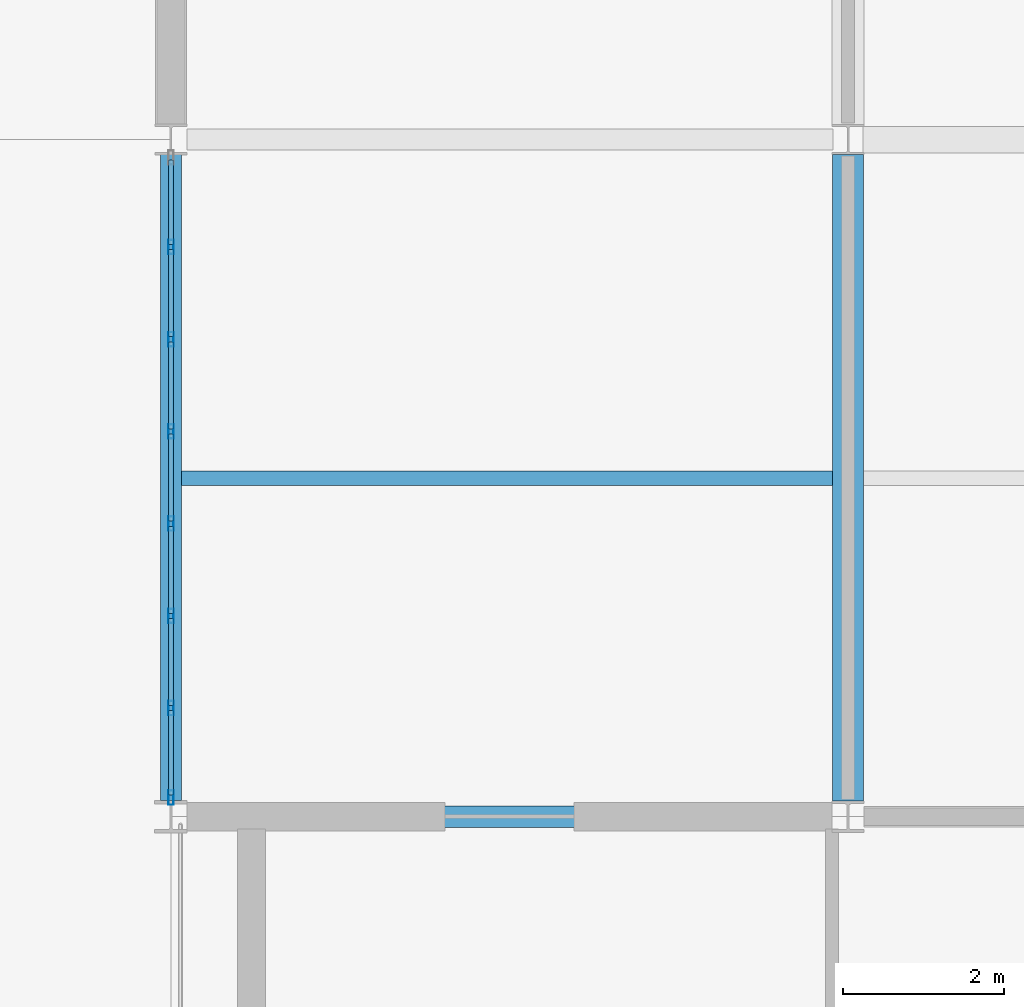
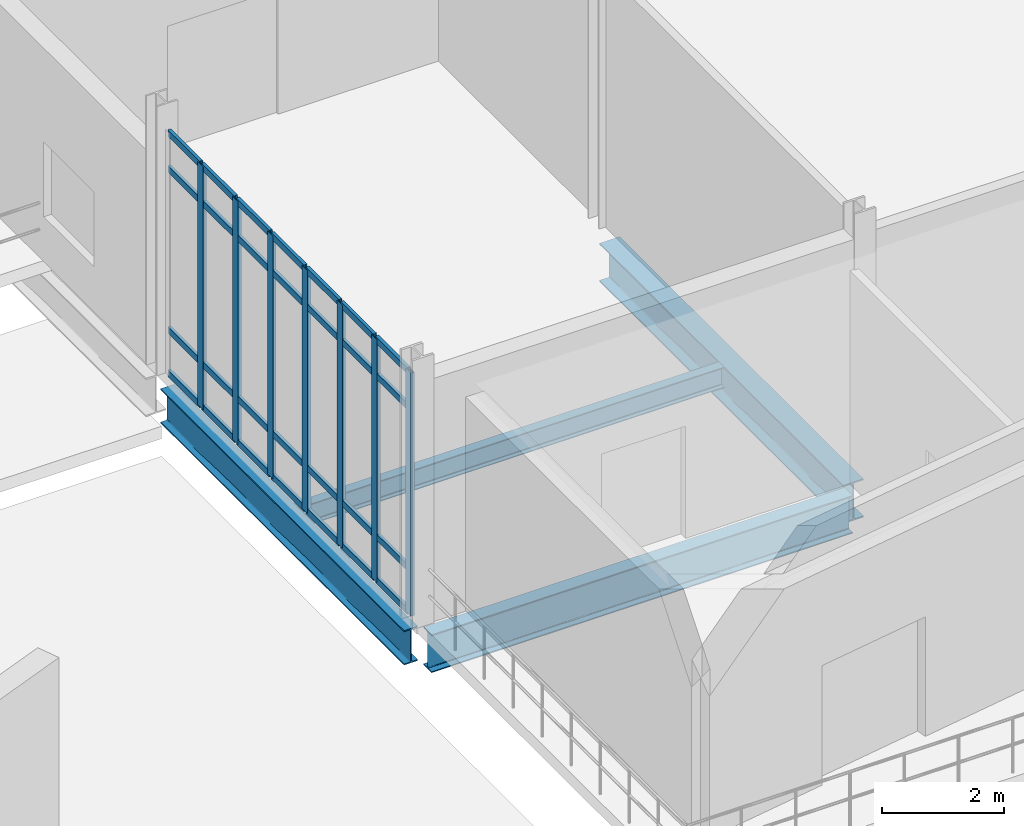
# One storey, part 23 of 229: 35 members, 4 beams, 1 element without a shape of its own.
"""IFC4 building model written with IfcOpenShell, lengths in metres."""

from ifc_helpers import new_model, si_unit, direction, frame, origin, origin_2d, place, context, subcontext, project, spatial, hollow_rectangle, i_section, extrude, material, layer, layer_set, material_profile, profile_set, type_object, element, aggregate, save


model = new_model("IFC4")

# Units and contexts
model_context = context("Model", 3, precision=1e-05, world=origin(), true_north=direction((0.0, 1.0)))
body_context = subcontext(model_context, "Body", "Model", "MODEL_VIEW")
ifc_project = project(units=[si_unit("LENGTHUNIT", "METRE"), si_unit("AREAUNIT", "SQUARE_METRE"), si_unit("VOLUMEUNIT", "CUBIC_METRE"), si_unit("PLANEANGLEUNIT", "RADIAN"), si_unit("MASSUNIT", "GRAM", prefix="KILO")], contexts=[model_context])

# Site, building, storey
site_placement = place(None, origin())
site = spatial("IfcSite", under=ifc_project, at=site_placement, CompositionType="ELEMENT")
building_placement = place(site_placement, origin())
building = spatial("IfcBuilding", under=site, at=building_placement, Name="Calvrana Isthmian Art Gallery", CompositionType="ELEMENT")
storey_placement = place(building_placement, origin())
storey = spatial("IfcBuildingStorey", under=building, at=storey_placement, Name="L00", CompositionType="ELEMENT", Elevation=0.0)

# Beams
ifc_material_1 = material(Name="Steel ASTM A992 Gr 50", Category="steel")
ifc_material_profile_1 = material_profile(ifc_material_1, i_section(OverallWidth=0.257080078125, OverallDepth=0.693115234375, WebThickness=0.014404296875, FlangeThickness=0.023681640625, FilletRadius=0.02392578125, at=origin_2d()), Name="W27X114")
ifc_profile_set_1 = profile_set([ifc_material_profile_1], Name="Steel ASTM A992 Gr 50")
beam_type_1 = type_object("IfcBeamType", Name="BM-G-W27X114", PredefinedType="BEAM", material=ifc_profile_set_1)
beam_1_placement = place(storey_placement, frame((21.60009765625, 21.799560546875, -0.631591796875), z_axis=(0.0, 1.0, 0.0), x_axis=(-1.0, 0.0, 0.0)))
element("IfcBeam", 1, at=beam_1_placement, inside=storey, type_object=beam_type_1, Name="Girder Y L00 04/D-E", PredefinedType="BEAM", context=body_context, shape_type="SweptSolid", body=[
    extrude(i_section(OverallWidth=0.257080078125, OverallDepth=0.693115234375, WebThickness=0.014404296875, FlangeThickness=0.023681640625, FilletRadius=0.02392578125, at=origin_2d()), origin(), (0.0, 0.0, 1.0), 8.012451171875),
])
ifc_material_profile_2 = material_profile(ifc_material_1, i_section(OverallWidth=0.26708984375, OverallDepth=0.761962890625, WebThickness=0.014404296875, FlangeThickness=0.021484375, FilletRadius=0.02490234375, at=origin_2d()), Name="W30X116")
ifc_profile_set_2 = profile_set([ifc_material_profile_2], Name="Steel ASTM A992 Gr 50")
beam_type_2 = type_object("IfcBeamType", Name="BM-G-W30X116", PredefinedType="BEAM", material=ifc_profile_set_2)
beam_2_placement = place(storey_placement, frame((21.800537109375, 21.60009765625, -0.666015625), z_axis=(1.0, 0.0, 0.0), x_axis=(0.0, 1.0, 0.0)))
element("IfcBeam", 2, at=beam_2_placement, inside=storey, type_object=beam_type_2, Name="Girder X L00 04-05/D", PredefinedType="BEAM", context=body_context, shape_type="SweptSolid", body=[
    extrude(i_section(OverallWidth=0.26708984375, OverallDepth=0.761962890625, WebThickness=0.014404296875, FlangeThickness=0.021484375, FilletRadius=0.02490234375, at=origin_2d()), origin(), (0.0, 0.0, 1.0), 8.0),
])
ifc_material_profile_3 = material_profile(ifc_material_1, i_section(OverallWidth=0.381103515625, OverallDepth=0.77197265625, WebThickness=0.0166015625, FlangeThickness=0.027099609375, FilletRadius=0.02490234375, at=origin_2d()), Name="W30X173")
ifc_profile_set_3 = profile_set([ifc_material_profile_3], Name="Steel ASTM A992 Gr 50")
beam_type_3 = type_object("IfcBeamType", Name="BM-G-W30X173", PredefinedType="BEAM", material=ifc_profile_set_3)
beam_3_placement = place(storey_placement, frame((30.0, 21.79296875, -0.6708984375), z_axis=(0.0, 1.0, 0.0), x_axis=(-1.0, 0.0, 0.0)))
element("IfcBeam", 3, at=beam_3_placement, inside=storey, type_object=beam_type_3, Name="Girder Y L00 05/D-E", PredefinedType="BEAM", context=body_context, shape_type="SweptSolid", body=[
    extrude(i_section(OverallWidth=0.381103515625, OverallDepth=0.77197265625, WebThickness=0.0166015625, FlangeThickness=0.027099609375, FilletRadius=0.02490234375, at=origin_2d()), origin(), (0.0, 0.0, 1.0), 8.0205078125),
])
ifc_material_profile_4 = material_profile(ifc_material_1, i_section(OverallWidth=0.179931640625, OverallDepth=0.4140625, WebThickness=0.009765625, FlangeThickness=0.01611328125, FilletRadius=0.01806640625, at=origin_2d()), Name="W16X50")
ifc_profile_set_4 = profile_set([ifc_material_profile_4], Name="Steel ASTM A992 Gr 50")
beam_type_4 = type_object("IfcBeamType", Name="BM-J-W16X50", PredefinedType="JOIST", material=ifc_profile_set_4)
beam_4_placement = place(storey_placement, frame((21.728515625, 25.800048828125, -0.491943359375), z_axis=(1.0, 0.0, 0.0), x_axis=(0.0, 1.0, 0.0)))
element("IfcBeam", 4, at=beam_4_placement, inside=storey, type_object=beam_type_4, Name="Composite joist L00 bay 03-03", PredefinedType="JOIST", context=body_context, shape_type="SweptSolid", body=[
    extrude(i_section(OverallWidth=0.179931640625, OverallDepth=0.4140625, WebThickness=0.009765625, FlangeThickness=0.01611328125, FilletRadius=0.01806640625, at=origin_2d()), origin(), (0.0, 0.0, 1.0), 8.0810546875),
])

# Curtain wall, members
ifc_material_2 = material(Name="Anodized bronze aluminium 6063-T6", Category="aluminium")
ifc_layer = layer(ifc_material_2, 0.179931640625, Name="Anodized bronze aluminium 6063-T6")
ifc_layer_set = layer_set([ifc_layer], Name="Anodized bronze aluminium 6063-T6")
curtain_wall_type = type_object("IfcCurtainWallType", Name="CW-STICK-080X49", PredefinedType="NOTDEFINED", material=ifc_layer_set)
curtain_wall_placement = place(storey_placement, origin())
curtain_wall = element("IfcCurtainWall", 5, at=curtain_wall_placement, inside=storey, type_object=curtain_wall_type, Name="Curtain wall CW-056", PredefinedType="NOTDEFINED")
ifc_material_profile_5 = material_profile(ifc_material_2, hollow_rectangle(XDim=0.06494140625, YDim=0.179931640625, WallThickness=0.00439453125, at=origin_2d()), Name="CWM65X180")
ifc_profile_set_5 = profile_set([ifc_material_profile_5], Name="Anodized bronze aluminium 6063-T6")
member_type_1 = type_object("IfcMemberType", Name="CWM-CWM65X180", PredefinedType="MULLION", material=ifc_profile_set_5)
member_1_placement = place(storey_placement, frame((21.60009765625, 21.83544921875, 0.0), z_axis=(0.0, 0.0, 1.0), x_axis=(-1.0, 0.0, 0.0)))
member_1 = element("IfcMember", 6, at=member_1_placement, type_object=member_type_1, Name="CW-056 mullion 1", PredefinedType="MULLION", context=body_context, shape_type="SweptSolid", body=[
    extrude(hollow_rectangle(XDim=0.06494140625, YDim=0.179931640625, WallThickness=0.00439453125, at=origin_2d()), origin(), (0.0, 0.0, 1.0), 4.882568359375),
])
member_2_placement = place(storey_placement, frame((21.60009765625, 22.94677734375, 0.0), z_axis=(0.0, 0.0, 1.0), x_axis=(-1.0, 0.0, 0.0)))
member_2 = element("IfcMember", 7, at=member_2_placement, type_object=member_type_1, Name="CW-056 mullion 2", PredefinedType="MULLION", context=body_context, shape_type="SweptSolid", body=[
    extrude(hollow_rectangle(XDim=0.06494140625, YDim=0.179931640625, WallThickness=0.00439453125, at=origin_2d()), origin(), (0.0, 0.0, 1.0), 4.882568359375),
])
member_3_placement = place(storey_placement, frame((21.60009765625, 24.090576171875, 0.0), z_axis=(0.0, 0.0, 1.0), x_axis=(-1.0, 0.0, 0.0)))
member_3 = element("IfcMember", 8, at=member_3_placement, type_object=member_type_1, Name="CW-056 mullion 3", PredefinedType="MULLION", context=body_context, shape_type="SweptSolid", body=[
    extrude(hollow_rectangle(XDim=0.06494140625, YDim=0.179931640625, WallThickness=0.00439453125, at=origin_2d()), origin(), (0.0, 0.0, 1.0), 4.882568359375),
])
member_4_placement = place(storey_placement, frame((21.60009765625, 25.234375, 0.0), z_axis=(0.0, 0.0, 1.0), x_axis=(-1.0, 0.0, 0.0)))
member_4 = element("IfcMember", 9, at=member_4_placement, type_object=member_type_1, Name="CW-056 mullion 4", PredefinedType="MULLION", context=body_context, shape_type="SweptSolid", body=[
    extrude(hollow_rectangle(XDim=0.06494140625, YDim=0.179931640625, WallThickness=0.00439453125, at=origin_2d()), origin(), (0.0, 0.0, 1.0), 4.882568359375),
])
member_5_placement = place(storey_placement, frame((21.60009765625, 26.378173828125, 0.0), z_axis=(0.0, 0.0, 1.0), x_axis=(-1.0, 0.0, 0.0)))
member_5 = element("IfcMember", 10, at=member_5_placement, type_object=member_type_1, Name="CW-056 mullion 5", PredefinedType="MULLION", context=body_context, shape_type="SweptSolid", body=[
    extrude(hollow_rectangle(XDim=0.06494140625, YDim=0.179931640625, WallThickness=0.00439453125, at=origin_2d()), origin(), (0.0, 0.0, 1.0), 4.882568359375),
])
member_6_placement = place(storey_placement, frame((21.60009765625, 27.52197265625, 0.0), z_axis=(0.0, 0.0, 1.0), x_axis=(-1.0, 0.0, 0.0)))
member_6 = element("IfcMember", 11, at=member_6_placement, type_object=member_type_1, Name="CW-056 mullion 6", PredefinedType="MULLION", context=body_context, shape_type="SweptSolid", body=[
    extrude(hollow_rectangle(XDim=0.06494140625, YDim=0.179931640625, WallThickness=0.00439453125, at=origin_2d()), origin(), (0.0, 0.0, 1.0), 4.882568359375),
])
member_7_placement = place(storey_placement, frame((21.60009765625, 28.665771484375, 0.0), z_axis=(0.0, 0.0, 1.0), x_axis=(-1.0, 0.0, 0.0)))
member_7 = element("IfcMember", 12, at=member_7_placement, type_object=member_type_1, Name="CW-056 mullion 7", PredefinedType="MULLION", context=body_context, shape_type="SweptSolid", body=[
    extrude(hollow_rectangle(XDim=0.06494140625, YDim=0.179931640625, WallThickness=0.00439453125, at=origin_2d()), origin(), (0.0, 0.0, 1.0), 4.882568359375),
])
ifc_material_profile_6 = material_profile(ifc_material_2, hollow_rectangle(XDim=0.06005859375, YDim=0.1298828125, WallThickness=0.00390625, at=origin_2d()), Name="CWT60X130")
ifc_profile_set_6 = profile_set([ifc_material_profile_6], Name="Anodized bronze aluminium 6063-T6")
member_type_2 = type_object("IfcMemberType", Name="CWT-CWT60X130", PredefinedType="USERDEFINED", material=ifc_profile_set_6)
member_8_placement = place(storey_placement, frame((21.60009765625, 21.867919921875, 0.030029296875), z_axis=(0.0, 1.0, 0.0), x_axis=(-1.0, 0.0, 0.0)))
member_8 = element("IfcMember", 13, at=member_8_placement, type_object=member_type_2, Name="CW-056 transom 1.1", ObjectType="TRANSOM", PredefinedType="USERDEFINED", context=body_context, shape_type="SweptSolid", body=[
    extrude(hollow_rectangle(XDim=0.06005859375, YDim=0.1298828125, WallThickness=0.00390625, at=origin_2d()), origin(), (0.0, 0.0, 1.0), 1.04638671875),
])
member_9_placement = place(storey_placement, frame((21.60009765625, 21.867919921875, 0.89990234375), z_axis=(0.0, 1.0, 0.0), x_axis=(-1.0, 0.0, 0.0)))
member_9 = element("IfcMember", 14, at=member_9_placement, type_object=member_type_2, Name="CW-056 transom 1.2", ObjectType="TRANSOM", PredefinedType="USERDEFINED", context=body_context, shape_type="SweptSolid", body=[
    extrude(hollow_rectangle(XDim=0.06005859375, YDim=0.1298828125, WallThickness=0.00390625, at=origin_2d()), origin(), (0.0, 0.0, 1.0), 1.04638671875),
])
member_10_placement = place(storey_placement, frame((21.60009765625, 21.867919921875, 4.132568359375), z_axis=(0.0, 1.0, 0.0), x_axis=(-1.0, 0.0, 0.0)))
member_10 = element("IfcMember", 15, at=member_10_placement, type_object=member_type_2, Name="CW-056 transom 1.3", ObjectType="TRANSOM", PredefinedType="USERDEFINED", context=body_context, shape_type="SweptSolid", body=[
    extrude(hollow_rectangle(XDim=0.06005859375, YDim=0.1298828125, WallThickness=0.00390625, at=origin_2d()), origin(), (0.0, 0.0, 1.0), 1.04638671875),
])
member_11_placement = place(storey_placement, frame((21.60009765625, 21.867919921875, 4.8525390625), z_axis=(0.0, 1.0, 0.0), x_axis=(-1.0, 0.0, 0.0)))
member_11 = element("IfcMember", 16, at=member_11_placement, type_object=member_type_2, Name="CW-056 transom 1.4", ObjectType="TRANSOM", PredefinedType="USERDEFINED", context=body_context, shape_type="SweptSolid", body=[
    extrude(hollow_rectangle(XDim=0.06005859375, YDim=0.1298828125, WallThickness=0.00390625, at=origin_2d()), origin(), (0.0, 0.0, 1.0), 1.04638671875),
])
member_12_placement = place(storey_placement, frame((21.60009765625, 22.979248046875, 0.030029296875), z_axis=(0.0, 1.0, 0.0), x_axis=(-1.0, 0.0, 0.0)))
member_12 = element("IfcMember", 17, at=member_12_placement, type_object=member_type_2, Name="CW-056 transom 2.1", ObjectType="TRANSOM", PredefinedType="USERDEFINED", context=body_context, shape_type="SweptSolid", body=[
    extrude(hollow_rectangle(XDim=0.06005859375, YDim=0.1298828125, WallThickness=0.00390625, at=origin_2d()), origin(), (0.0, 0.0, 1.0), 1.078857421875),
])
member_13_placement = place(storey_placement, frame((21.60009765625, 22.979248046875, 0.89990234375), z_axis=(0.0, 1.0, 0.0), x_axis=(-1.0, 0.0, 0.0)))
member_13 = element("IfcMember", 18, at=member_13_placement, type_object=member_type_2, Name="CW-056 transom 2.2", ObjectType="TRANSOM", PredefinedType="USERDEFINED", context=body_context, shape_type="SweptSolid", body=[
    extrude(hollow_rectangle(XDim=0.06005859375, YDim=0.1298828125, WallThickness=0.00390625, at=origin_2d()), origin(), (0.0, 0.0, 1.0), 1.078857421875),
])
member_14_placement = place(storey_placement, frame((21.60009765625, 22.979248046875, 4.132568359375), z_axis=(0.0, 1.0, 0.0), x_axis=(-1.0, 0.0, 0.0)))
member_14 = element("IfcMember", 19, at=member_14_placement, type_object=member_type_2, Name="CW-056 transom 2.3", ObjectType="TRANSOM", PredefinedType="USERDEFINED", context=body_context, shape_type="SweptSolid", body=[
    extrude(hollow_rectangle(XDim=0.06005859375, YDim=0.1298828125, WallThickness=0.00390625, at=origin_2d()), origin(), (0.0, 0.0, 1.0), 1.078857421875),
])
member_15_placement = place(storey_placement, frame((21.60009765625, 22.979248046875, 4.8525390625), z_axis=(0.0, 1.0, 0.0), x_axis=(-1.0, 0.0, 0.0)))
member_15 = element("IfcMember", 20, at=member_15_placement, type_object=member_type_2, Name="CW-056 transom 2.4", ObjectType="TRANSOM", PredefinedType="USERDEFINED", context=body_context, shape_type="SweptSolid", body=[
    extrude(hollow_rectangle(XDim=0.06005859375, YDim=0.1298828125, WallThickness=0.00390625, at=origin_2d()), origin(), (0.0, 0.0, 1.0), 1.078857421875),
])
member_16_placement = place(storey_placement, frame((21.60009765625, 24.123046875, 0.030029296875), z_axis=(0.0, 1.0, 0.0), x_axis=(-1.0, 0.0, 0.0)))
member_16 = element("IfcMember", 21, at=member_16_placement, type_object=member_type_2, Name="CW-056 transom 3.1", ObjectType="TRANSOM", PredefinedType="USERDEFINED", context=body_context, shape_type="SweptSolid", body=[
    extrude(hollow_rectangle(XDim=0.06005859375, YDim=0.1298828125, WallThickness=0.00390625, at=origin_2d()), origin(), (0.0, 0.0, 1.0), 1.078857421875),
])
member_17_placement = place(storey_placement, frame((21.60009765625, 24.123046875, 0.89990234375), z_axis=(0.0, 1.0, 0.0), x_axis=(-1.0, 0.0, 0.0)))
member_17 = element("IfcMember", 22, at=member_17_placement, type_object=member_type_2, Name="CW-056 transom 3.2", ObjectType="TRANSOM", PredefinedType="USERDEFINED", context=body_context, shape_type="SweptSolid", body=[
    extrude(hollow_rectangle(XDim=0.06005859375, YDim=0.1298828125, WallThickness=0.00390625, at=origin_2d()), origin(), (0.0, 0.0, 1.0), 1.078857421875),
])
member_18_placement = place(storey_placement, frame((21.60009765625, 24.123046875, 4.132568359375), z_axis=(0.0, 1.0, 0.0), x_axis=(-1.0, 0.0, 0.0)))
member_18 = element("IfcMember", 23, at=member_18_placement, type_object=member_type_2, Name="CW-056 transom 3.3", ObjectType="TRANSOM", PredefinedType="USERDEFINED", context=body_context, shape_type="SweptSolid", body=[
    extrude(hollow_rectangle(XDim=0.06005859375, YDim=0.1298828125, WallThickness=0.00390625, at=origin_2d()), origin(), (0.0, 0.0, 1.0), 1.078857421875),
])
member_19_placement = place(storey_placement, frame((21.60009765625, 24.123046875, 4.8525390625), z_axis=(0.0, 1.0, 0.0), x_axis=(-1.0, 0.0, 0.0)))
member_19 = element("IfcMember", 24, at=member_19_placement, type_object=member_type_2, Name="CW-056 transom 3.4", ObjectType="TRANSOM", PredefinedType="USERDEFINED", context=body_context, shape_type="SweptSolid", body=[
    extrude(hollow_rectangle(XDim=0.06005859375, YDim=0.1298828125, WallThickness=0.00390625, at=origin_2d()), origin(), (0.0, 0.0, 1.0), 1.078857421875),
])
member_20_placement = place(storey_placement, frame((21.60009765625, 25.266845703125, 0.030029296875), z_axis=(0.0, 1.0, 0.0), x_axis=(-1.0, 0.0, 0.0)))
member_20 = element("IfcMember", 25, at=member_20_placement, type_object=member_type_2, Name="CW-056 transom 4.1", ObjectType="TRANSOM", PredefinedType="USERDEFINED", context=body_context, shape_type="SweptSolid", body=[
    extrude(hollow_rectangle(XDim=0.06005859375, YDim=0.1298828125, WallThickness=0.00390625, at=origin_2d()), origin(), (0.0, 0.0, 1.0), 1.078857421875),
])
member_21_placement = place(storey_placement, frame((21.60009765625, 25.266845703125, 0.89990234375), z_axis=(0.0, 1.0, 0.0), x_axis=(-1.0, 0.0, 0.0)))
member_21 = element("IfcMember", 26, at=member_21_placement, type_object=member_type_2, Name="CW-056 transom 4.2", ObjectType="TRANSOM", PredefinedType="USERDEFINED", context=body_context, shape_type="SweptSolid", body=[
    extrude(hollow_rectangle(XDim=0.06005859375, YDim=0.1298828125, WallThickness=0.00390625, at=origin_2d()), origin(), (0.0, 0.0, 1.0), 1.078857421875),
])
member_22_placement = place(storey_placement, frame((21.60009765625, 25.266845703125, 4.132568359375), z_axis=(0.0, 1.0, 0.0), x_axis=(-1.0, 0.0, 0.0)))
member_22 = element("IfcMember", 27, at=member_22_placement, type_object=member_type_2, Name="CW-056 transom 4.3", ObjectType="TRANSOM", PredefinedType="USERDEFINED", context=body_context, shape_type="SweptSolid", body=[
    extrude(hollow_rectangle(XDim=0.06005859375, YDim=0.1298828125, WallThickness=0.00390625, at=origin_2d()), origin(), (0.0, 0.0, 1.0), 1.078857421875),
])
member_23_placement = place(storey_placement, frame((21.60009765625, 25.266845703125, 4.8525390625), z_axis=(0.0, 1.0, 0.0), x_axis=(-1.0, 0.0, 0.0)))
member_23 = element("IfcMember", 28, at=member_23_placement, type_object=member_type_2, Name="CW-056 transom 4.4", ObjectType="TRANSOM", PredefinedType="USERDEFINED", context=body_context, shape_type="SweptSolid", body=[
    extrude(hollow_rectangle(XDim=0.06005859375, YDim=0.1298828125, WallThickness=0.00390625, at=origin_2d()), origin(), (0.0, 0.0, 1.0), 1.078857421875),
])
member_24_placement = place(storey_placement, frame((21.60009765625, 26.41064453125, 0.030029296875), z_axis=(0.0, 1.0, 0.0), x_axis=(-1.0, 0.0, 0.0)))
member_24 = element("IfcMember", 29, at=member_24_placement, type_object=member_type_2, Name="CW-056 transom 5.1", ObjectType="TRANSOM", PredefinedType="USERDEFINED", context=body_context, shape_type="SweptSolid", body=[
    extrude(hollow_rectangle(XDim=0.06005859375, YDim=0.1298828125, WallThickness=0.00390625, at=origin_2d()), origin(), (0.0, 0.0, 1.0), 1.078857421875),
])
member_25_placement = place(storey_placement, frame((21.60009765625, 26.41064453125, 0.89990234375), z_axis=(0.0, 1.0, 0.0), x_axis=(-1.0, 0.0, 0.0)))
member_25 = element("IfcMember", 30, at=member_25_placement, type_object=member_type_2, Name="CW-056 transom 5.2", ObjectType="TRANSOM", PredefinedType="USERDEFINED", context=body_context, shape_type="SweptSolid", body=[
    extrude(hollow_rectangle(XDim=0.06005859375, YDim=0.1298828125, WallThickness=0.00390625, at=origin_2d()), origin(), (0.0, 0.0, 1.0), 1.078857421875),
])
member_26_placement = place(storey_placement, frame((21.60009765625, 26.41064453125, 4.132568359375), z_axis=(0.0, 1.0, 0.0), x_axis=(-1.0, 0.0, 0.0)))
member_26 = element("IfcMember", 31, at=member_26_placement, type_object=member_type_2, Name="CW-056 transom 5.3", ObjectType="TRANSOM", PredefinedType="USERDEFINED", context=body_context, shape_type="SweptSolid", body=[
    extrude(hollow_rectangle(XDim=0.06005859375, YDim=0.1298828125, WallThickness=0.00390625, at=origin_2d()), origin(), (0.0, 0.0, 1.0), 1.078857421875),
])
member_27_placement = place(storey_placement, frame((21.60009765625, 26.41064453125, 4.8525390625), z_axis=(0.0, 1.0, 0.0), x_axis=(-1.0, 0.0, 0.0)))
member_27 = element("IfcMember", 32, at=member_27_placement, type_object=member_type_2, Name="CW-056 transom 5.4", ObjectType="TRANSOM", PredefinedType="USERDEFINED", context=body_context, shape_type="SweptSolid", body=[
    extrude(hollow_rectangle(XDim=0.06005859375, YDim=0.1298828125, WallThickness=0.00390625, at=origin_2d()), origin(), (0.0, 0.0, 1.0), 1.078857421875),
])
member_28_placement = place(storey_placement, frame((21.60009765625, 27.554443359375, 0.030029296875), z_axis=(0.0, 1.0, 0.0), x_axis=(-1.0, 0.0, 0.0)))
member_28 = element("IfcMember", 33, at=member_28_placement, type_object=member_type_2, Name="CW-056 transom 6.1", ObjectType="TRANSOM", PredefinedType="USERDEFINED", context=body_context, shape_type="SweptSolid", body=[
    extrude(hollow_rectangle(XDim=0.06005859375, YDim=0.1298828125, WallThickness=0.00390625, at=origin_2d()), origin(), (0.0, 0.0, 1.0), 1.078857421875),
])
member_29_placement = place(storey_placement, frame((21.60009765625, 27.554443359375, 0.89990234375), z_axis=(0.0, 1.0, 0.0), x_axis=(-1.0, 0.0, 0.0)))
member_29 = element("IfcMember", 34, at=member_29_placement, type_object=member_type_2, Name="CW-056 transom 6.2", ObjectType="TRANSOM", PredefinedType="USERDEFINED", context=body_context, shape_type="SweptSolid", body=[
    extrude(hollow_rectangle(XDim=0.06005859375, YDim=0.1298828125, WallThickness=0.00390625, at=origin_2d()), origin(), (0.0, 0.0, 1.0), 1.078857421875),
])
member_30_placement = place(storey_placement, frame((21.60009765625, 27.554443359375, 4.132568359375), z_axis=(0.0, 1.0, 0.0), x_axis=(-1.0, 0.0, 0.0)))
member_30 = element("IfcMember", 35, at=member_30_placement, type_object=member_type_2, Name="CW-056 transom 6.3", ObjectType="TRANSOM", PredefinedType="USERDEFINED", context=body_context, shape_type="SweptSolid", body=[
    extrude(hollow_rectangle(XDim=0.06005859375, YDim=0.1298828125, WallThickness=0.00390625, at=origin_2d()), origin(), (0.0, 0.0, 1.0), 1.078857421875),
])
member_31_placement = place(storey_placement, frame((21.60009765625, 27.554443359375, 4.8525390625), z_axis=(0.0, 1.0, 0.0), x_axis=(-1.0, 0.0, 0.0)))
member_31 = element("IfcMember", 36, at=member_31_placement, type_object=member_type_2, Name="CW-056 transom 6.4", ObjectType="TRANSOM", PredefinedType="USERDEFINED", context=body_context, shape_type="SweptSolid", body=[
    extrude(hollow_rectangle(XDim=0.06005859375, YDim=0.1298828125, WallThickness=0.00390625, at=origin_2d()), origin(), (0.0, 0.0, 1.0), 1.078857421875),
])
member_32_placement = place(storey_placement, frame((21.60009765625, 28.6982421875, 0.030029296875), z_axis=(0.0, 1.0, 0.0), x_axis=(-1.0, 0.0, 0.0)))
member_32 = element("IfcMember", 37, at=member_32_placement, type_object=member_type_2, Name="CW-056 transom 7.1", ObjectType="TRANSOM", PredefinedType="USERDEFINED", context=body_context, shape_type="SweptSolid", body=[
    extrude(hollow_rectangle(XDim=0.06005859375, YDim=0.1298828125, WallThickness=0.00390625, at=origin_2d()), origin(), (0.0, 0.0, 1.0), 1.046142578125),
])
member_33_placement = place(storey_placement, frame((21.60009765625, 28.6982421875, 0.89990234375), z_axis=(0.0, 1.0, 0.0), x_axis=(-1.0, 0.0, 0.0)))
member_33 = element("IfcMember", 38, at=member_33_placement, type_object=member_type_2, Name="CW-056 transom 7.2", ObjectType="TRANSOM", PredefinedType="USERDEFINED", context=body_context, shape_type="SweptSolid", body=[
    extrude(hollow_rectangle(XDim=0.06005859375, YDim=0.1298828125, WallThickness=0.00390625, at=origin_2d()), origin(), (0.0, 0.0, 1.0), 1.046142578125),
])
member_34_placement = place(storey_placement, frame((21.60009765625, 28.6982421875, 4.132568359375), z_axis=(0.0, 1.0, 0.0), x_axis=(-1.0, 0.0, 0.0)))
member_34 = element("IfcMember", 39, at=member_34_placement, type_object=member_type_2, Name="CW-056 transom 7.3", ObjectType="TRANSOM", PredefinedType="USERDEFINED", context=body_context, shape_type="SweptSolid", body=[
    extrude(hollow_rectangle(XDim=0.06005859375, YDim=0.1298828125, WallThickness=0.00390625, at=origin_2d()), origin(), (0.0, 0.0, 1.0), 1.046142578125),
])
member_35_placement = place(storey_placement, frame((21.60009765625, 28.6982421875, 4.8525390625), z_axis=(0.0, 1.0, 0.0), x_axis=(-1.0, 0.0, 0.0)))
member_35 = element("IfcMember", 40, at=member_35_placement, type_object=member_type_2, Name="CW-056 transom 7.4", ObjectType="TRANSOM", PredefinedType="USERDEFINED", context=body_context, shape_type="SweptSolid", body=[
    extrude(hollow_rectangle(XDim=0.06005859375, YDim=0.1298828125, WallThickness=0.00390625, at=origin_2d()), origin(), (0.0, 0.0, 1.0), 1.046142578125),
])
aggregate(curtain_wall, [member_1, member_2, member_3, member_4, member_5, member_6, member_7, member_8, member_9, member_10, member_11, member_12, member_13, member_14, member_15, member_16, member_17, member_18, member_19, member_20, member_21, member_22, member_23, member_24, member_25, member_26, member_27, member_28, member_29, member_30, member_31, member_32, member_33, member_34, member_35])

save(model, "model.ifc")
